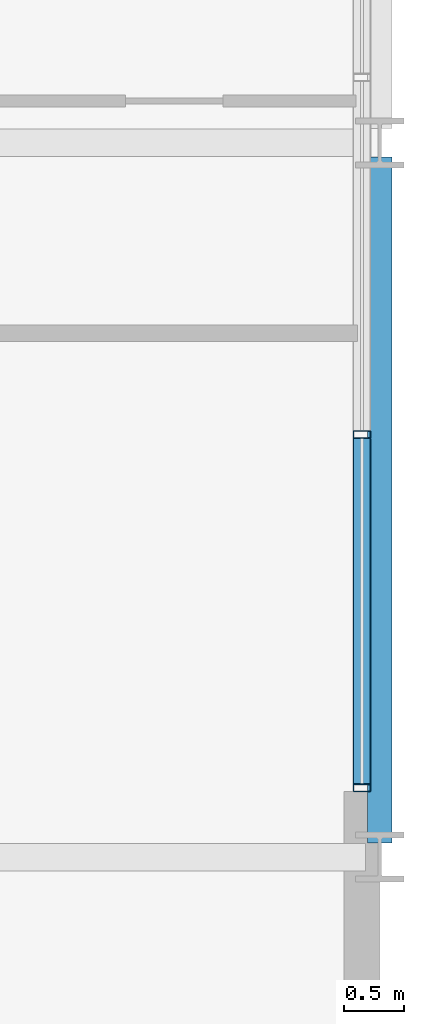
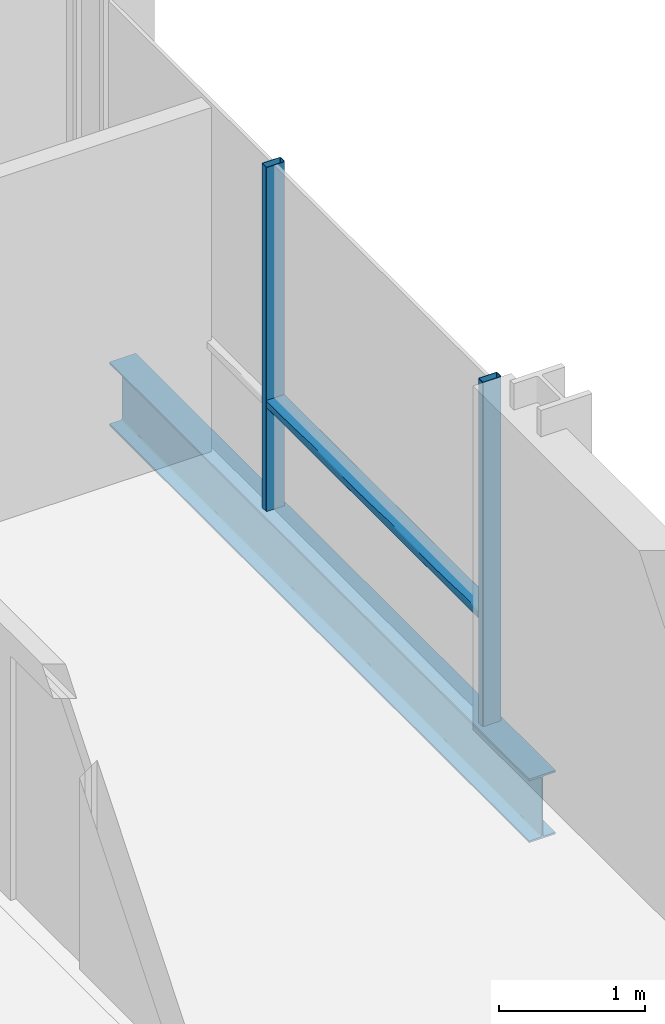
# One storey, part 17 of 41: 3 members, 1 beam, 1 element without a shape of its own.
"""IFC4 building model written with IfcOpenShell, lengths in metres."""

from ifc_helpers import new_model, si_unit, direction, frame, origin, origin_2d, place, context, subcontext, project, spatial, hollow_rectangle, i_section, extrude, material, layer, layer_set, material_profile, profile_set, type_object, element, aggregate, save


model = new_model("IFC4")

# Units and contexts
model_context = context("Model", 3, precision=1e-05, world=origin(), true_north=direction((0.0, 1.0)))
body_context = subcontext(model_context, "Body", "Model", "MODEL_VIEW")
ifc_project = project(units=[si_unit("LENGTHUNIT", "METRE"), si_unit("AREAUNIT", "SQUARE_METRE"), si_unit("VOLUMEUNIT", "CUBIC_METRE"), si_unit("PLANEANGLEUNIT", "RADIAN"), si_unit("MASSUNIT", "GRAM", prefix="KILO")], contexts=[model_context])

# Site, building, storey
site_placement = place(None, origin())
site = spatial("IfcSite", under=ifc_project, at=site_placement, CompositionType="ELEMENT")
building_placement = place(site_placement, origin())
building = spatial("IfcBuilding", under=site, at=building_placement, Name="Brevholm Reach", CompositionType="ELEMENT")
storey_placement = place(building_placement, frame((0.0, 0.0, 151.10009765625)))
storey = spatial("IfcBuildingStorey", under=building, at=storey_placement, Name="L45", CompositionType="ELEMENT", Elevation=151.10009765625)

# Beam
ifc_material_1 = material(Name="Structural Steel S355J2", Category="steel")
ifc_material_profile_1 = material_profile(ifc_material_1, i_section(OverallWidth=0.209228515625, OverallDepth=0.533203125, WebThickness=0.010009765625, FlangeThickness=0.015625, FilletRadius=0.0126953125, at=origin_2d()), Name="UKB 533x210x92")
ifc_profile_set_1 = profile_set([ifc_material_profile_1], Name="Structural Steel S355J2")
beam_type = type_object("IfcBeamType", Name="BM-SP533", PredefinedType="SPANDREL", material=ifc_profile_set_1)
beam_placement = place(storey_placement, frame((60.0, 10.1201171875, -0.486572265625), z_axis=(0.0, 1.0, 0.0), x_axis=(-1.0, 0.0, 0.0)))
element("IfcBeam", 1, at=beam_placement, inside=storey, type_object=beam_type, Name="L45 SP-02 Framing Beam", PredefinedType="SPANDREL", context=body_context, shape_type="SweptSolid", body=[
    extrude(i_section(OverallWidth=0.209228515625, OverallDepth=0.533203125, WebThickness=0.010009765625, FlangeThickness=0.015625, FilletRadius=0.0126953125, at=origin_2d()), origin(), (0.0, 0.0, 1.0), 5.759765625),
])

# Curtain wall, members
ifc_material_2 = material(Name="Dark Anodised Aluminium 6063-T6 and Solar-Control Glass", Category="aluminium")
ifc_layer = layer(ifc_material_2, 0.14990234375)
ifc_layer_set = layer_set([ifc_layer], Name="Dark Anodised Aluminium 6063-T6 and Solar-Control Glass")
curtain_wall_type = type_object("IfcCurtainWallType", Name="CW-01", PredefinedType="NOTDEFINED", material=ifc_layer_set)
curtain_wall_placement = place(storey_placement, origin())
curtain_wall = element("IfcCurtainWall", 2, at=curtain_wall_placement, inside=storey, type_object=curtain_wall_type, Name="L45 Curtain Wall CW-01", PredefinedType="NOTDEFINED")
ifc_material_3 = material(Name="Dark Anodised Aluminium 6063-T6", Category="aluminium")
ifc_material_profile_2 = material_profile(ifc_material_3, hollow_rectangle(XDim=0.06494140625, YDim=0.14990234375, WallThickness=0.0048828125, InnerFilletRadius=0.0048828125, OuterFilletRadius=0.010009765625, at=origin_2d()), Name="RHS 150x65x5")
ifc_profile_set_2 = profile_set([ifc_material_profile_2], Name="Dark Anodised Aluminium 6063-T6")
member_type_1 = type_object("IfcMemberType", Name="CWM-150", PredefinedType="MULLION", material=ifc_profile_set_2)
member_1_placement = place(storey_placement, frame((59.85009765625, 10.58251953125, 0.0), z_axis=(0.0, 0.0, 1.0), x_axis=(0.0, 1.0, 0.0)))
member_1 = element("IfcMember", 3, at=member_1_placement, type_object=member_type_1, Name="CM-150 Mullion 1", PredefinedType="MULLION", context=body_context, shape_type="SweptSolid", body=[
    extrude(hollow_rectangle(XDim=0.06494140625, YDim=0.14990234375, WallThickness=0.0048828125, InnerFilletRadius=0.0048828125, OuterFilletRadius=0.010009765625, at=origin_2d()), origin(), (0.0, 0.0, 1.0), 2.8798828125),
])
member_2_placement = place(storey_placement, frame((59.85009765625, 13.550048828125, 0.0), z_axis=(0.0, 0.0, 1.0), x_axis=(0.0, 1.0, 0.0)))
member_2 = element("IfcMember", 4, at=member_2_placement, type_object=member_type_1, Name="CM-150 Mullion 2", PredefinedType="MULLION", context=body_context, shape_type="SweptSolid", body=[
    extrude(hollow_rectangle(XDim=0.06494140625, YDim=0.14990234375, WallThickness=0.0048828125, InnerFilletRadius=0.0048828125, OuterFilletRadius=0.010009765625, at=origin_2d()), origin(), (0.0, 0.0, 1.0), 2.8798828125),
])
ifc_material_4 = material(Name="Dark Anodised Aluminium 6063-T6", Category="aluminium")
ifc_material_profile_3 = material_profile(ifc_material_4, hollow_rectangle(XDim=0.06494140625, YDim=0.14990234375, WallThickness=0.0048828125, InnerFilletRadius=0.0048828125, OuterFilletRadius=0.010009765625, at=origin_2d()), Name="RHS 150x65x5")
ifc_profile_set_3 = profile_set([ifc_material_profile_3], Name="Dark Anodised Aluminium 6063-T6")
member_type_2 = type_object("IfcMemberType", Name="CWT-150", PredefinedType="NOTDEFINED", material=ifc_profile_set_3)
member_3_placement = place(storey_placement, frame((59.85009765625, 10.614990234375, 0.89990234375), z_axis=(0.0, 1.0, 0.0), x_axis=(0.0, 0.0, 1.0)))
member_3 = element("IfcMember", 5, at=member_3_placement, type_object=member_type_2, Name="CT-150 Transom 1.1", ObjectType="TRANSOM", PredefinedType="USERDEFINED", context=body_context, shape_type="SweptSolid", body=[
    extrude(hollow_rectangle(XDim=0.06494140625, YDim=0.14990234375, WallThickness=0.0048828125, InnerFilletRadius=0.0048828125, OuterFilletRadius=0.010009765625, at=origin_2d()), origin(), (0.0, 0.0, 1.0), 2.902587890625),
])
aggregate(curtain_wall, [member_1, member_2, member_3])

save(model, "model.ifc")
